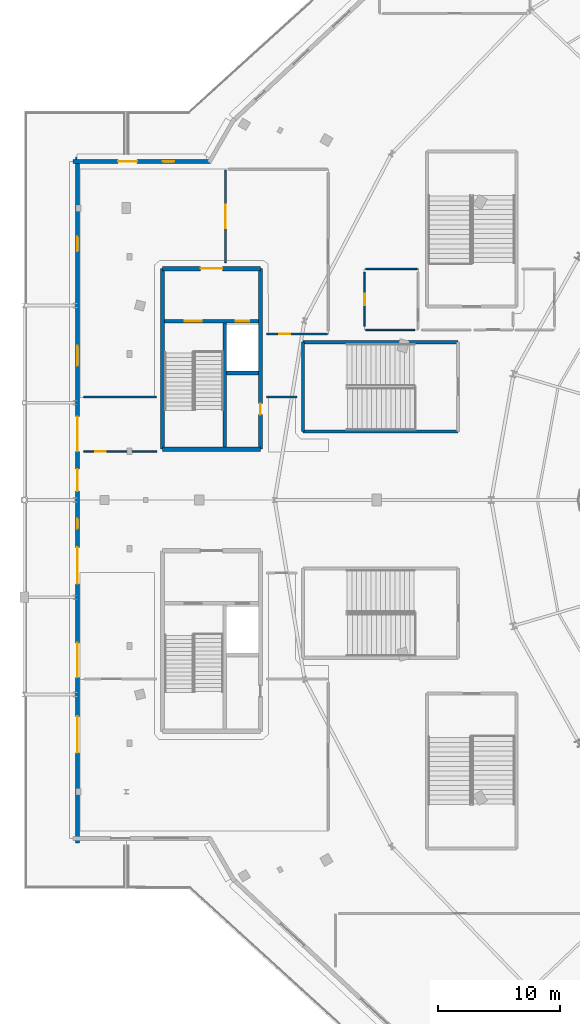
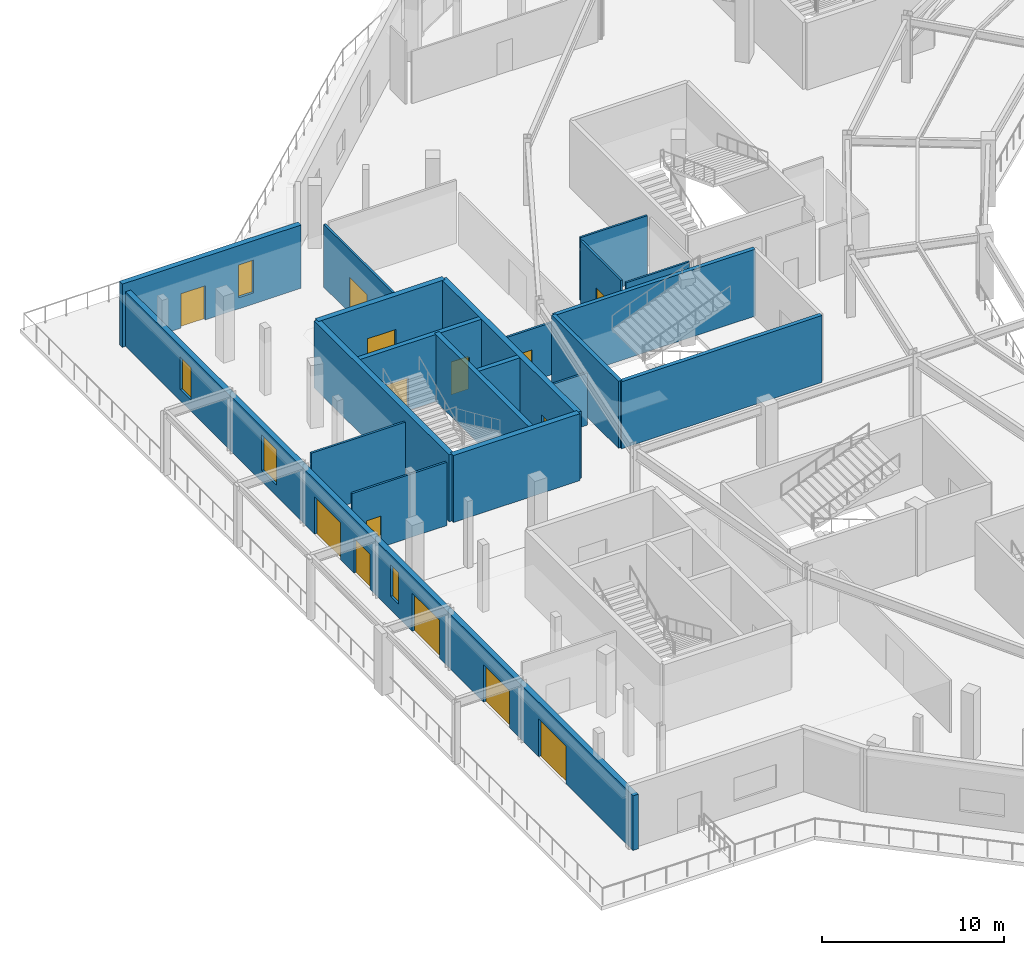
# One storey, part 77 of 107: 20 walls, 14 doors, 4 windows, 18 openings.
"""IFC4 building model written with IfcOpenShell, lengths in metres."""

from ifc_helpers import new_model, si_unit, direction, frame, frame_2d, origin, place, context, subcontext, project, spatial, rectangle, extrude, material, layer, layer_set, type_object, element, fill, save


model = new_model("IFC4")

# Units and contexts
model_context = context("Model", 3, precision=1e-05, world=origin(), true_north=direction((0.0, 1.0)))
body_context = subcontext(model_context, "Body", "Model", "MODEL_VIEW")
ifc_project = project(units=[si_unit("LENGTHUNIT", "METRE"), si_unit("AREAUNIT", "SQUARE_METRE"), si_unit("VOLUMEUNIT", "CUBIC_METRE"), si_unit("PLANEANGLEUNIT", "RADIAN"), si_unit("MASSUNIT", "GRAM", prefix="KILO")], contexts=[model_context])

# Site, building, storey
site_placement = place(None, origin())
site = spatial("IfcSite", under=ifc_project, at=site_placement, CompositionType="ELEMENT")
building_placement = place(site_placement, origin())
building = spatial("IfcBuilding", under=site, at=building_placement, Name="Kalgoora Escarpment Arena", CompositionType="ELEMENT")
storey_placement = place(building_placement, frame((0.0, 0.0, 5.39990234375)))
storey = spatial("IfcBuildingStorey", under=building, at=storey_placement, Name="L01", CompositionType="ELEMENT", Elevation=5.39990234375)

# Wall
ifc_material_1 = material(Name="Concrete N50 (fc' 50 MPa)", Category="concrete")
ifc_layer_1 = layer(ifc_material_1, 0.35009765625)
ifc_layer_set_1 = layer_set([ifc_layer_1], Name="WAL-CORE-350")
wall_type_1 = type_object("IfcWallType", Name="WAL-CORE-350", PredefinedType="SHEAR", material=ifc_layer_set_1)
wall_1_placement = place(storey_placement, frame((11.375, 68.175048828125, 0.0), z_axis=(0.0, 0.0, 1.0), x_axis=(1.0, 0.0, 0.0)))
element("IfcWall", 1, at=wall_1_placement, inside=storey, type_object=wall_type_1, Name="Core C1 L01 south shear wall", PredefinedType="SHEAR", context=body_context, shape_type="SweptSolid", body=[
    extrude(rectangle(XDim=8.050048828125, YDim=0.35009765625, at=frame_2d((4.02490234375, 0.0))), origin(), (0.0, 0.0, 1.0), 4.5),
])

# Wall, opening, door
wall_2_placement = place(storey_placement, frame((11.375, 83.02490234375, 0.0), z_axis=(0.0, 0.0, 1.0), x_axis=(1.0, 0.0, 0.0)))
wall_2 = element("IfcWall", 2, at=wall_2_placement, inside=storey, type_object=wall_type_1, Name="Core C1 L01 north lobby wall", PredefinedType="SHEAR", context=body_context, shape_type="SweptSolid", body=[
    extrude(rectangle(XDim=8.050048828125, YDim=0.35009765625, at=frame_2d((4.02490234375, 0.0))), origin(), (0.0, 0.0, 1.0), 4.5),
])
opening_1_placement = place(wall_2_placement, frame((3.125, 0.0, 0.0)))
opening_1 = element("IfcOpeningElement", 3, at=opening_1_placement, cuts=wall_2, Name="Opening FD-C1L", PredefinedType="OPENING", context=body_context, shape_type="SweptSolid", body=[
    extrude(rectangle(XDim=1.800048828125, YDim=2.25, at=frame_2d((0.89990234375, 1.125))), frame((0.0, 0.18505859375, 0.0), z_axis=(0.0, -1.0, 0.0), x_axis=(1.0, 0.0, 0.0)), (0.0, 0.0, 1.0), 0.3701171875),
])
ifc_material_2 = material(Name="Double fire-rated smoke-seal lobby door")
door_type_1 = type_object("IfcDoorType", Name="DR-LOBBY-1800", OperationType="NOTDEFINED", PredefinedType="DOOR", material=ifc_material_2)
door_1_placement = place(opening_1_placement, origin())
door_1 = element("IfcDoor", 4, at=door_1_placement, inside=storey, type_object=door_type_1, Name="Core C1 L01 smoke-lobby fire door", OperationType="DOUBLE_DOOR_SINGLE_SWING", OverallHeight=2.25, OverallWidth=1.800048828125, PredefinedType="DOOR", context=body_context, shape_type="SweptSolid", body=[
    extrude(rectangle(XDim=1.800048828125, YDim=2.25, at=frame_2d((0.89990234375, 1.125))), frame((0.0, 0.02490234375, 0.0), z_axis=(0.0, -1.0, 0.0), x_axis=(1.0, 0.0, 0.0)), (0.0, 0.0, 1.0), 0.050048828125),
])
fill(opening_1, door_1)

# Wall
wall_3_placement = place(storey_placement, frame((11.375, 68.175048828125, 0.0), z_axis=(0.0, 0.0, 1.0), x_axis=(0.0, 1.0, 0.0)))
element("IfcWall", 5, at=wall_3_placement, inside=storey, type_object=wall_type_1, Name="Core C1 L01 west shear wall", PredefinedType="SHEAR", context=body_context, shape_type="SweptSolid", body=[
    extrude(rectangle(XDim=14.849853515625, YDim=0.35009765625, at=frame_2d((7.4248046875, 0.0))), origin(), (0.0, 0.0, 1.0), 4.5),
])

# Wall, opening, door
wall_4_placement = place(storey_placement, frame((19.425048828125, 68.175048828125, 0.0), z_axis=(0.0, 0.0, 1.0), x_axis=(0.0, 1.0, 0.0)))
wall_4 = element("IfcWall", 6, at=wall_4_placement, inside=storey, type_object=wall_type_1, Name="Core C1 L01 east shear wall", PredefinedType="SHEAR", context=body_context, shape_type="SweptSolid", body=[
    extrude(rectangle(XDim=14.849853515625, YDim=0.35009765625, at=frame_2d((7.4248046875, 0.0))), origin(), (0.0, 0.0, 1.0), 4.5),
])
opening_2_placement = place(wall_4_placement, frame((2.85498046875, 0.0, 0.0)))
opening_2 = element("IfcOpeningElement", 7, at=opening_2_placement, cuts=wall_4, Name="Opening FD-C1R", PredefinedType="OPENING", context=body_context, shape_type="SweptSolid", body=[
    extrude(rectangle(XDim=0.89990234375, YDim=2.10009765625, at=frame_2d((0.449951171875, 1.050048828125))), frame((0.0, 0.18505859375, 0.0), z_axis=(0.0, -1.0, 0.0), x_axis=(1.0, 0.0, 0.0)), (0.0, 0.0, 1.0), 0.3701171875),
])
ifc_material_3 = material(Name="Fire-rated steel riser access door", Category="steel")
door_type_2 = type_object("IfcDoorType", Name="DR-RISER-0900", OperationType="NOTDEFINED", PredefinedType="DOOR", material=ifc_material_3)
door_2_placement = place(opening_2_placement, origin())
door_2 = element("IfcDoor", 8, at=door_2_placement, inside=storey, type_object=door_type_2, Name="Core C1 L01 riser cupboard access door", OperationType="SINGLE_SWING_RIGHT", OverallHeight=2.10009765625, OverallWidth=0.89990234375, PredefinedType="DOOR", context=body_context, shape_type="SweptSolid", body=[
    extrude(rectangle(XDim=0.89990234375, YDim=2.10009765625, at=frame_2d((0.449951171875, 1.050048828125))), frame((0.0, 0.02490234375, 0.0), z_axis=(0.0, -1.0, 0.0), x_axis=(1.0, 0.0, 0.0)), (0.0, 0.0, 1.0), 0.050048828125),
])
fill(opening_2, door_2)

ifc_material_4 = material(Name="Hospitality acoustic drywall partition", Category="gypsum")
ifc_layer_2 = layer(ifc_material_4, 0.135009765625)
ifc_layer_set_2 = layer_set([ifc_layer_2], Name="WAL-DIN-135")
wall_type_2 = type_object("IfcWallType", Name="WAL-DIN-135", PredefinedType="PARTITIONING", material=ifc_layer_set_2)
wall_5_placement = place(storey_placement, frame((10.913818359375, 68.0, 0.0), z_axis=(0.0, 0.0, 1.0), x_axis=(-1.0, 0.0, 0.0)))
wall_5 = element("IfcWall", 9, at=wall_5_placement, inside=storey, type_object=wall_type_2, Name="L01 Arena Shop partition wall", PredefinedType="PARTITIONING", context=body_context, shape_type="SweptSolid", body=[
    extrude(rectangle(XDim=6.013916015625, YDim=0.135009765625, at=frame_2d((3.0068359375, 0.0))), origin(), (0.0, 0.0, 1.0), 4.25),
])
opening_3_placement = place(wall_5_placement, frame((4.193115234375, 0.0, 0.0)))
opening_3 = element("IfcOpeningElement", 10, at=opening_3_placement, cuts=wall_5, Name="Opening FD-I051", PredefinedType="OPENING", context=body_context, shape_type="SweptSolid", body=[
    extrude(rectangle(XDim=0.89990234375, YDim=2.10009765625, at=frame_2d((0.449951171875, 1.050048828125))), frame((0.0, 0.077392578125, 0.0), z_axis=(0.0, -1.0, 0.0), x_axis=(1.0, 0.0, 0.0)), (0.0, 0.0, 1.0), 0.155029296875),
])
door_3_placement = place(opening_3_placement, origin())
door_3 = element("IfcDoor", 11, at=door_3_placement, inside=storey, type_object=door_type_2, Name="Arena Shop entrance door", OperationType="SINGLE_SWING_RIGHT", OverallHeight=2.10009765625, OverallWidth=0.89990234375, PredefinedType="DOOR", context=body_context, shape_type="SweptSolid", body=[
    extrude(rectangle(XDim=0.89990234375, YDim=2.10009765625, at=frame_2d((0.449951171875, 1.050048828125))), frame((0.0, 0.02490234375, 0.0), z_axis=(0.0, -1.0, 0.0), x_axis=(1.0, 0.0, 0.0)), (0.0, 0.0, 1.0), 0.050048828125),
])
fill(opening_3, door_3)

# Walls
wall_6_placement = place(storey_placement, frame((4.89990234375, 72.47509765625, 0.0), z_axis=(0.0, 0.0, 1.0), x_axis=(1.0, 0.0, 0.0)))
element("IfcWall", 12, at=wall_6_placement, inside=storey, type_object=wall_type_2, Name="L01 Arena Shop partition wall", PredefinedType="PARTITIONING", context=body_context, shape_type="SweptSolid", body=[
    extrude(rectangle(XDim=5.97509765625, YDim=0.135009765625, at=frame_2d((2.987548828125, 0.0))), origin(), (0.0, 0.0, 1.0), 4.25),
])
wall_7_placement = place(storey_placement, frame((19.925048828125, 72.47509765625, 0.0), z_axis=(0.0, 0.0, 1.0), x_axis=(1.0, 0.0, 0.0)))
element("IfcWall", 13, at=wall_7_placement, inside=storey, type_object=wall_type_2, Name="L01 Arena Shop partition wall", PredefinedType="PARTITIONING", context=body_context, shape_type="SweptSolid", body=[
    extrude(rectangle(XDim=2.5, YDim=0.135009765625, at=frame_2d((1.25, 0.0))), origin(), (0.0, 0.0, 1.0), 3.505126953125),
])

# Wall, opening, door
wall_8_placement = place(storey_placement, frame((16.550048828125, 91.1201171875, 0.0), z_axis=(0.0, 0.0, 1.0), x_axis=(0.0, -1.0, 0.0)))
wall_8 = element("IfcWall", 14, at=wall_8_placement, inside=storey, type_object=wall_type_2, Name="L01 Arena Shop 2 partition wall", PredefinedType="PARTITIONING", context=body_context, shape_type="SweptSolid", body=[
    extrude(rectangle(XDim=7.59521484375, YDim=0.135009765625, at=frame_2d((3.797607421875, 0.0))), origin(), (0.0, 0.0, 1.0), 4.22998046875),
])
opening_4_placement = place(wall_8_placement, frame((2.822509765625, 0.0, 0.0)))
opening_4 = element("IfcOpeningElement", 15, at=opening_4_placement, cuts=wall_8, Name="Opening FD-I052", PredefinedType="OPENING", context=body_context, shape_type="SweptSolid", body=[
    extrude(rectangle(XDim=1.949951171875, YDim=2.39990234375, at=frame_2d((0.97509765625, 1.199951171875))), frame((0.0, 0.077392578125, 0.0), z_axis=(0.0, -1.0, 0.0), x_axis=(1.0, 0.0, 0.0)), (0.0, 0.0, 1.0), 0.155029296875),
])
ifc_material_5 = material(Name="Glazed champagne-framed hospitality double door")
door_type_3 = type_object("IfcDoorType", Name="DR-CLUB-1950", OperationType="NOTDEFINED", PredefinedType="DOOR", material=ifc_material_5)
door_4_placement = place(opening_4_placement, origin())
door_4 = element("IfcDoor", 16, at=door_4_placement, inside=storey, type_object=door_type_3, Name="Arena Shop 2 entrance door", OperationType="DOUBLE_DOOR_SINGLE_SWING", OverallHeight=2.39990234375, OverallWidth=1.949951171875, PredefinedType="DOOR", context=body_context, shape_type="SweptSolid", body=[
    extrude(rectangle(XDim=1.949951171875, YDim=2.39990234375, at=frame_2d((0.97509765625, 1.199951171875))), frame((0.0, 0.02490234375, 0.0), z_axis=(0.0, -1.0, 0.0), x_axis=(1.0, 0.0, 0.0)), (0.0, 0.0, 1.0), 0.050048828125),
])
fill(opening_4, door_4)

wall_9_placement = place(storey_placement, frame((19.925048828125, 77.64990234375, 0.0), z_axis=(0.0, 0.0, 1.0), x_axis=(1.0, 0.0, 0.0)))
wall_9 = element("IfcWall", 17, at=wall_9_placement, inside=storey, type_object=wall_type_2, Name="L01 Arena Shop 3 partition wall", PredefinedType="PARTITIONING", context=body_context, shape_type="SweptSolid", body=[
    extrude(rectangle(XDim=4.994873046875, YDim=0.135009765625, at=frame_2d((2.49755859375, 0.0))), origin(), (0.0, 0.0, 1.0), 3.505126953125),
])
opening_5_placement = place(wall_9_placement, frame((1.064697265625, 0.0, 0.0)))
opening_5 = element("IfcOpeningElement", 18, at=opening_5_placement, cuts=wall_9, Name="Opening FD-I053", PredefinedType="OPENING", context=body_context, shape_type="SweptSolid", body=[
    extrude(rectangle(XDim=0.89990234375, YDim=2.10009765625, at=frame_2d((0.449951171875, 1.050048828125))), frame((0.0, 0.077392578125, 0.0), z_axis=(0.0, -1.0, 0.0), x_axis=(1.0, 0.0, 0.0)), (0.0, 0.0, 1.0), 0.155029296875),
])
door_5_placement = place(opening_5_placement, origin())
door_5 = element("IfcDoor", 19, at=door_5_placement, inside=storey, type_object=door_type_2, Name="Arena Shop 3 entrance door", OperationType="SINGLE_SWING_LEFT", OverallHeight=2.10009765625, OverallWidth=0.89990234375, PredefinedType="DOOR", context=body_context, shape_type="SweptSolid", body=[
    extrude(rectangle(XDim=0.89990234375, YDim=2.10009765625, at=frame_2d((0.449951171875, 1.050048828125))), frame((0.0, 0.02490234375, 0.0), z_axis=(0.0, -1.0, 0.0), x_axis=(1.0, 0.0, 0.0)), (0.0, 0.0, 1.0), 0.050048828125),
])
fill(opening_5, door_5)

# Wall, openings, doors, windows
ifc_material_6 = material(Name="Fluted Art Deco precast concrete 40 MPa", Category="concrete")
ifc_layer_3 = layer(ifc_material_6, 0.340087890625)
ifc_layer_set_3 = layer_set([ifc_layer_3], Name="WAL-EXT-340")
wall_type_3 = type_object("IfcWallType", Name="WAL-EXT-340", PredefinedType="SOLIDWALL", material=ifc_layer_set_3)
wall_10_placement = place(storey_placement, frame((4.3701171875, 35.802734375, 0.0), z_axis=(0.0, 0.0, 1.0), x_axis=(0.0, 1.0, 0.0)))
wall_10 = element("IfcWall", 20, at=wall_10_placement, inside=storey, type_object=wall_type_3, Name="L01 limestone-faced external wall 031", PredefinedType="SOLIDWALL", context=body_context, shape_type="SweptSolid", body=[
    extrude(rectangle(XDim=56.39453125, YDim=0.340087890625, at=frame_2d((28.197265625, 0.0))), origin(), (0.0, 0.0, 1.0), 3.673095703125),
])
opening_6_placement = place(wall_10_placement, frame((7.39990234375, 0.0, 0.0)))
opening_6 = element("IfcOpeningElement", 21, at=opening_6_placement, cuts=wall_10, Name="Opening E09", PredefinedType="OPENING", context=body_context, shape_type="SweptSolid", body=[
    extrude(rectangle(XDim=3.0, YDim=2.550048828125, at=frame_2d((1.5, 1.27490234375))), frame((0.0, 0.179931640625, 0.0), z_axis=(0.0, -1.0, 0.0), x_axis=(1.0, 0.0, 0.0)), (0.0, 0.0, 1.0), 0.360107421875),
])
opening_7_placement = place(wall_10_placement, frame((13.60009765625, 0.0, 0.0)))
opening_7 = element("IfcOpeningElement", 22, at=opening_7_placement, cuts=wall_10, Name="Opening E10", PredefinedType="OPENING", context=body_context, shape_type="SweptSolid", body=[
    extrude(rectangle(XDim=2.85009765625, YDim=2.5, at=frame_2d((1.425048828125, 1.25))), frame((0.0, 0.179931640625, 0.0), z_axis=(0.0, -1.0, 0.0), x_axis=(1.0, 0.0, 0.0)), (0.0, 0.0, 1.0), 0.360107421875),
])
opening_8_placement = place(wall_10_placement, frame((21.300048828125, 0.0, 0.0)))
opening_8 = element("IfcOpeningElement", 23, at=opening_8_placement, cuts=wall_10, Name="Opening E11", PredefinedType="OPENING", context=body_context, shape_type="SweptSolid", body=[
    extrude(rectangle(XDim=3.0, YDim=2.550048828125, at=frame_2d((1.5, 1.27490234375))), frame((0.0, 0.179931640625, 0.0), z_axis=(0.0, -1.0, 0.0), x_axis=(1.0, 0.0, 0.0)), (0.0, 0.0, 1.0), 0.360107421875),
])
opening_9_placement = place(wall_10_placement, frame((32.199951171875, 0.0, 0.0)))
opening_9 = element("IfcOpeningElement", 24, at=opening_9_placement, cuts=wall_10, Name="Opening E12", PredefinedType="OPENING", context=body_context, shape_type="SweptSolid", body=[
    extrude(rectangle(XDim=2.85009765625, YDim=2.5, at=frame_2d((1.425048828125, 1.25))), frame((0.0, 0.179931640625, 0.0), z_axis=(0.0, -1.0, 0.0), x_axis=(1.0, 0.0, 0.0)), (0.0, 0.0, 1.0), 0.360107421875),
])
opening_10_placement = place(wall_10_placement, frame((28.93505859375, 0.0, 0.0)))
opening_10 = element("IfcOpeningElement", 25, at=opening_10_placement, cuts=wall_10, Name="Opening TD11", PredefinedType="OPENING", context=body_context, shape_type="SweptSolid", body=[
    extrude(rectangle(XDim=1.800048828125, YDim=2.35009765625, at=frame_2d((0.89990234375, 1.175048828125))), frame((0.0, 0.179931640625, 0.0), z_axis=(0.0, -1.0, 0.0), x_axis=(1.0, 0.0, 0.0)), (0.0, 0.0, 1.0), 0.360107421875),
])
opening_11_placement = place(wall_10_placement, frame((25.824951171875, 0.0, 0.89990234375)))
opening_11 = element("IfcOpeningElement", 26, at=opening_11_placement, cuts=wall_10, Name="Opening W-18", PredefinedType="OPENING", context=body_context, shape_type="SweptSolid", body=[
    extrude(rectangle(XDim=0.85009765625, YDim=2.10009765625, at=frame_2d((0.425048828125, 1.050048828125))), frame((0.0, 0.179931640625, 0.0), z_axis=(0.0, -1.0, 0.0), x_axis=(1.0, 0.0, 0.0)), (0.0, 0.0, 1.0), 0.360107421875),
])
opening_12_placement = place(wall_10_placement, frame((39.22509765625, 0.0, 0.75)))
opening_12 = element("IfcOpeningElement", 27, at=opening_12_placement, cuts=wall_10, Name="Opening W-02", PredefinedType="OPENING", context=body_context, shape_type="SweptSolid", body=[
    extrude(rectangle(XDim=1.64990234375, YDim=2.39990234375, at=frame_2d((0.824951171875, 1.199951171875))), frame((0.0, 0.179931640625, 0.0), z_axis=(0.0, -1.0, 0.0), x_axis=(1.0, 0.0, 0.0)), (0.0, 0.0, 1.0), 0.360107421875),
])
opening_13_placement = place(wall_10_placement, frame((48.64990234375, 0.0, 0.75)))
opening_13 = element("IfcOpeningElement", 28, at=opening_13_placement, cuts=wall_10, Name="Opening W-05", PredefinedType="OPENING", context=body_context, shape_type="SweptSolid", body=[
    extrude(rectangle(XDim=1.199951171875, YDim=2.199951171875, at=frame_2d((0.60009765625, 1.10009765625))), frame((0.0, 0.179931640625, 0.0), z_axis=(0.0, -1.0, 0.0), x_axis=(1.0, 0.0, 0.0)), (0.0, 0.0, 1.0), 0.360107421875),
])
ifc_material_7 = material(Name="Champagne anodised aluminium & glass foyer leaf", Category="aluminium")
door_type_4 = type_object("IfcDoorType", Name="DR-FOYER-2850", OperationType="NOTDEFINED", PredefinedType="DOOR", material=ifc_material_7)
door_6_placement = place(opening_7_placement, origin())
door_6 = element("IfcDoor", 29, at=door_6_placement, inside=storey, type_object=door_type_4, Name="Upper Foyer Entrance E10", OperationType="DOUBLE_DOOR_SINGLE_SWING", OverallHeight=2.5, OverallWidth=2.85009765625, PredefinedType="DOOR", context=body_context, shape_type="SweptSolid", body=[
    extrude(rectangle(XDim=2.85009765625, YDim=2.5, at=frame_2d((1.425048828125, 1.25))), frame((0.0, 0.02490234375, 0.0), z_axis=(0.0, -1.0, 0.0), x_axis=(1.0, 0.0, 0.0)), (0.0, 0.0, 1.0), 0.050048828125),
])
fill(opening_7, door_6)
door_7_placement = place(opening_9_placement, origin())
door_7 = element("IfcDoor", 30, at=door_7_placement, inside=storey, type_object=door_type_4, Name="Upper Foyer Entrance E12", OperationType="DOUBLE_DOOR_SINGLE_SWING", OverallHeight=2.5, OverallWidth=2.85009765625, PredefinedType="DOOR", context=body_context, shape_type="SweptSolid", body=[
    extrude(rectangle(XDim=2.85009765625, YDim=2.5, at=frame_2d((1.425048828125, 1.25))), frame((0.0, 0.02490234375, 0.0), z_axis=(0.0, -1.0, 0.0), x_axis=(1.0, 0.0, 0.0)), (0.0, 0.0, 1.0), 0.050048828125),
])
fill(opening_9, door_7)
ifc_material_8 = material(Name="Champagne anodised aluminium & glass foyer leaf", Category="aluminium")
door_type_5 = type_object("IfcDoorType", Name="DR-FOYER-3000", OperationType="NOTDEFINED", PredefinedType="DOOR", material=ifc_material_8)
door_8_placement = place(opening_6_placement, origin())
door_8 = element("IfcDoor", 31, at=door_8_placement, inside=storey, type_object=door_type_5, Name="Upper Foyer Entrance E09", OperationType="DOUBLE_DOOR_SINGLE_SWING", OverallHeight=2.550048828125, OverallWidth=3.0, PredefinedType="DOOR", context=body_context, shape_type="SweptSolid", body=[
    extrude(rectangle(XDim=3.0, YDim=2.550048828125, at=frame_2d((1.5, 1.27490234375))), frame((0.0, 0.02490234375, 0.0), z_axis=(0.0, -1.0, 0.0), x_axis=(1.0, 0.0, 0.0)), (0.0, 0.0, 1.0), 0.050048828125),
])
fill(opening_6, door_8)
door_9_placement = place(opening_8_placement, origin())
door_9 = element("IfcDoor", 32, at=door_9_placement, inside=storey, type_object=door_type_5, Name="Upper Foyer Entrance E11", OperationType="DOUBLE_DOOR_SINGLE_SWING", OverallHeight=2.550048828125, OverallWidth=3.0, PredefinedType="DOOR", context=body_context, shape_type="SweptSolid", body=[
    extrude(rectangle(XDim=3.0, YDim=2.550048828125, at=frame_2d((1.5, 1.27490234375))), frame((0.0, 0.02490234375, 0.0), z_axis=(0.0, -1.0, 0.0), x_axis=(1.0, 0.0, 0.0)), (0.0, 0.0, 1.0), 0.050048828125),
])
fill(opening_8, door_9)
ifc_material_9 = material(Name="Thermally broken aluminium glazed terrace double door", Category="aluminium")
door_type_6 = type_object("IfcDoorType", Name="DR-TERR-1800", OperationType="NOTDEFINED", PredefinedType="DOOR", material=ifc_material_9)
door_10_placement = place(opening_10_placement, origin())
door_10 = element("IfcDoor", 33, at=door_10_placement, inside=storey, type_object=door_type_6, Name="Upper Foyer Escarpment Plaza access door TD11", OperationType="DOUBLE_DOOR_SINGLE_SWING", OverallHeight=2.35009765625, OverallWidth=1.800048828125, PredefinedType="DOOR", context=body_context, shape_type="SweptSolid", body=[
    extrude(rectangle(XDim=1.800048828125, YDim=2.35009765625, at=frame_2d((0.89990234375, 1.175048828125))), frame((0.0, 0.02490234375, 0.0), z_axis=(0.0, -1.0, 0.0), x_axis=(1.0, 0.0, 0.0)), (0.0, 0.0, 1.0), 0.050048828125),
])
fill(opening_10, door_10)
ifc_material_10 = material(Name="Low-E solar-control double glazing in champagne frame", Category="glass")
window_type_1 = type_object("IfcWindowType", Name="WIN-DECO-1200x2200", PartitioningType="SINGLE_PANEL", PredefinedType="WINDOW", material=ifc_material_10)
window_1_placement = place(opening_13_placement, origin())
window_1 = element("IfcWindow", 34, at=window_1_placement, inside=storey, type_object=window_type_1, Name="L01 scheduled facade window 015", OverallHeight=2.199951171875, OverallWidth=1.199951171875, PartitioningType="SINGLE_PANEL", PredefinedType="WINDOW", context=body_context, shape_type="SweptSolid", body=[
    extrude(rectangle(XDim=1.199951171875, YDim=2.199951171875, at=frame_2d((0.60009765625, 1.10009765625))), frame((0.0, 0.030029296875, 0.0), z_axis=(0.0, -1.0, 0.0), x_axis=(1.0, 0.0, 0.0)), (0.0, 0.0, 1.0), 0.06005859375),
])
fill(opening_13, window_1)
ifc_material_11 = material(Name="Low-E solar-control double glazing in champagne frame", Category="glass")
window_type_2 = type_object("IfcWindowType", Name="WIN-DECO-1650x2400", PartitioningType="SINGLE_PANEL", PredefinedType="WINDOW", material=ifc_material_11)
window_2_placement = place(opening_12_placement, origin())
window_2 = element("IfcWindow", 35, at=window_2_placement, inside=storey, type_object=window_type_2, Name="L01 scheduled facade window 014", OverallHeight=2.39990234375, OverallWidth=1.64990234375, PartitioningType="SINGLE_PANEL", PredefinedType="WINDOW", context=body_context, shape_type="SweptSolid", body=[
    extrude(rectangle(XDim=1.64990234375, YDim=2.39990234375, at=frame_2d((0.824951171875, 1.199951171875))), frame((0.0, 0.030029296875, 0.0), z_axis=(0.0, -1.0, 0.0), x_axis=(1.0, 0.0, 0.0)), (0.0, 0.0, 1.0), 0.06005859375),
])
fill(opening_12, window_2)
ifc_material_12 = material(Name="Low-E solar-control double glazing in champagne frame", Category="glass")
window_type_3 = type_object("IfcWindowType", Name="WIN-SLOT-0850x2100", PartitioningType="SINGLE_PANEL", PredefinedType="WINDOW", material=ifc_material_12)
window_3_placement = place(opening_11_placement, origin())
window_3 = element("IfcWindow", 36, at=window_3_placement, inside=storey, type_object=window_type_3, Name="L01 scheduled facade window 013", OverallHeight=2.10009765625, OverallWidth=0.85009765625, PartitioningType="SINGLE_PANEL", PredefinedType="WINDOW", context=body_context, shape_type="SweptSolid", body=[
    extrude(rectangle(XDim=0.85009765625, YDim=2.10009765625, at=frame_2d((0.425048828125, 1.050048828125))), frame((0.0, 0.030029296875, 0.0), z_axis=(0.0, -1.0, 0.0), x_axis=(1.0, 0.0, 0.0)), (0.0, 0.0, 1.0), 0.06005859375),
])
fill(opening_11, window_3)

# Wall, openings, door, window
wall_11_placement = place(storey_placement, frame((4.002685546875, 91.830078125, 0.0), z_axis=(0.0, 0.0, 1.0), x_axis=(1.0, 0.0, 0.0)))
wall_11 = element("IfcWall", 37, at=wall_11_placement, inside=storey, type_object=wall_type_3, Name="L01 limestone-faced external wall 032", PredefinedType="SOLIDWALL", context=body_context, shape_type="SweptSolid", body=[
    extrude(rectangle(XDim=11.3505859375, YDim=0.340087890625, at=frame_2d((5.67529296875, 0.0))), origin(), (0.0, 0.0, 1.0), 4.25),
])
opening_14_placement = place(wall_11_placement, frame((3.72412109375, 0.0, 0.0)))
opening_14 = element("IfcOpeningElement", 38, at=opening_14_placement, cuts=wall_11, Name="Opening TD19", PredefinedType="OPENING", context=body_context, shape_type="SweptSolid", body=[
    extrude(rectangle(XDim=1.550048828125, YDim=2.300048828125, at=frame_2d((0.77490234375, 1.14990234375))), frame((0.0, 0.179931640625, 0.0), z_axis=(0.0, -1.0, 0.0), x_axis=(1.0, 0.0, 0.0)), (0.0, 0.0, 1.0), 0.360107421875),
])
opening_15_placement = place(wall_11_placement, frame((7.375, 0.0, 0.75)))
opening_15 = element("IfcOpeningElement", 39, at=opening_15_placement, cuts=wall_11, Name="Opening W-17", PredefinedType="OPENING", context=body_context, shape_type="SweptSolid", body=[
    extrude(rectangle(XDim=0.949951171875, YDim=2.199951171875, at=frame_2d((0.47509765625, 1.10009765625))), frame((0.0, 0.179931640625, 0.0), z_axis=(0.0, -1.0, 0.0), x_axis=(1.0, 0.0, 0.0)), (0.0, 0.0, 1.0), 0.360107421875),
])
ifc_material_13 = material(Name="Thermally broken aluminium glazed terrace double door", Category="aluminium")
door_type_7 = type_object("IfcDoorType", Name="DR-TERR-1550", OperationType="NOTDEFINED", PredefinedType="DOOR", material=ifc_material_13)
door_11_placement = place(opening_14_placement, origin())
door_11 = element("IfcDoor", 40, at=door_11_placement, inside=storey, type_object=door_type_7, Name="Lower Planted Elliptical Garden Promenade access door TD19", OperationType="DOUBLE_DOOR_SINGLE_SWING", OverallHeight=2.300048828125, OverallWidth=1.550048828125, PredefinedType="DOOR", context=body_context, shape_type="SweptSolid", body=[
    extrude(rectangle(XDim=1.550048828125, YDim=2.300048828125, at=frame_2d((0.77490234375, 1.14990234375))), frame((0.0, 0.02490234375, 0.0), z_axis=(0.0, -1.0, 0.0), x_axis=(1.0, 0.0, 0.0)), (0.0, 0.0, 1.0), 0.050048828125),
])
fill(opening_14, door_11)
ifc_material_14 = material(Name="Low-E solar-control double glazing in champagne frame", Category="glass")
window_type_4 = type_object("IfcWindowType", Name="WIN-SLOT-0950x2200", PartitioningType="SINGLE_PANEL", PredefinedType="WINDOW", material=ifc_material_14)
window_4_placement = place(opening_15_placement, origin())
window_4 = element("IfcWindow", 41, at=window_4_placement, inside=storey, type_object=window_type_4, Name="L01 scheduled facade window 016", OverallHeight=2.199951171875, OverallWidth=0.949951171875, PartitioningType="SINGLE_PANEL", PredefinedType="WINDOW", context=body_context, shape_type="SweptSolid", body=[
    extrude(rectangle(XDim=0.949951171875, YDim=2.199951171875, at=frame_2d((0.47509765625, 1.10009765625))), frame((0.0, 0.030029296875, 0.0), z_axis=(0.0, -1.0, 0.0), x_axis=(1.0, 0.0, 0.0)), (0.0, 0.0, 1.0), 0.06005859375),
])
fill(opening_15, window_4)

# Wall, openings, doors
ifc_material_15 = material(Name="Concrete N50 (fc' 50 MPa)", Category="concrete")
ifc_layer_4 = layer(ifc_material_15, 0.300048828125)
ifc_layer_set_4 = layer_set([ifc_layer_4], Name="WAL-SHAFT-300")
wall_type_4 = type_object("IfcWallType", Name="WAL-SHAFT-300", PredefinedType="SHEAR", material=ifc_layer_set_4)
wall_12_placement = place(storey_placement, frame((11.550048828125, 78.699951171875, 0.0), z_axis=(0.0, 0.0, 1.0), x_axis=(1.0, 0.0, 0.0)))
wall_12 = element("IfcWall", 42, at=wall_12_placement, inside=storey, type_object=wall_type_4, Name="Core C1 L01 lobby shaft wall", PredefinedType="SHEAR", context=body_context, shape_type="SweptSolid", body=[
    extrude(rectangle(XDim=7.699951171875, YDim=0.300048828125, at=frame_2d((3.85009765625, 0.0))), origin(), (0.0, 0.0, 1.0), 4.5),
])
opening_16_placement = place(wall_12_placement, frame((1.64990234375, 0.0, 0.0)))
opening_16 = element("IfcOpeningElement", 43, at=opening_16_placement, cuts=wall_12, Name="Opening FD-ST01", PredefinedType="OPENING", context=body_context, shape_type="SweptSolid", body=[
    extrude(rectangle(XDim=1.39990234375, YDim=2.199951171875, at=frame_2d((0.699951171875, 1.10009765625))), frame((0.0, 0.159912109375, 0.0), z_axis=(0.0, -1.0, 0.0), x_axis=(1.0, 0.0, 0.0)), (0.0, 0.0, 1.0), 0.320068359375),
])
opening_17_placement = place(wall_12_placement, frame((5.85009765625, 0.0, 0.0)))
opening_17 = element("IfcOpeningElement", 44, at=opening_17_placement, cuts=wall_12, Name="Opening LD-EL1", PredefinedType="OPENING", context=body_context, shape_type="SweptSolid", body=[
    extrude(rectangle(XDim=1.10009765625, YDim=2.199951171875, at=frame_2d((0.550048828125, 1.10009765625))), frame((0.0, 0.159912109375, 0.0), z_axis=(0.0, -1.0, 0.0), x_axis=(1.0, 0.0, 0.0)), (0.0, 0.0, 1.0), 0.320068359375),
])
ifc_material_16 = material(Name="Brushed stainless steel sliding lift landing door", Category="steel")
door_type_8 = type_object("IfcDoorType", Name="DR-LD-EL1", OperationType="SLIDING_TO_LEFT", PredefinedType="DOOR", material=ifc_material_16)
door_12_placement = place(opening_17_placement, origin())
door_12 = element("IfcDoor", 45, at=door_12_placement, inside=storey, type_object=door_type_8, Name="Lift EL1 L01 sliding landing door", OperationType="SLIDING_TO_LEFT", OverallHeight=2.199951171875, OverallWidth=1.10009765625, PredefinedType="DOOR", context=body_context, shape_type="SweptSolid", body=[
    extrude(rectangle(XDim=1.10009765625, YDim=2.199951171875, at=frame_2d((0.550048828125, 1.10009765625))), frame((0.0, 0.02490234375, 0.0), z_axis=(0.0, -1.0, 0.0), x_axis=(1.0, 0.0, 0.0)), (0.0, 0.0, 1.0), 0.050048828125),
])
fill(opening_17, door_12)
ifc_material_17 = material(Name="Fire-rated steel stair leaf with vision panel", Category="steel")
door_type_9 = type_object("IfcDoorType", Name="DR-STAIR-1400", OperationType="NOTDEFINED", PredefinedType="DOOR", material=ifc_material_17)
door_13_placement = place(opening_16_placement, origin())
door_13 = element("IfcDoor", 46, at=door_13_placement, inside=storey, type_object=door_type_9, Name="Fire stair ST01 L01 fire door", OperationType="SINGLE_SWING_LEFT", OverallHeight=2.199951171875, OverallWidth=1.39990234375, PredefinedType="DOOR", context=body_context, shape_type="SweptSolid", body=[
    extrude(rectangle(XDim=1.39990234375, YDim=2.199951171875, at=frame_2d((0.699951171875, 1.10009765625))), frame((0.0, 0.02490234375, 0.0), z_axis=(0.0, -1.0, 0.0), x_axis=(1.0, 0.0, 0.0)), (0.0, 0.0, 1.0), 0.050048828125),
])
fill(opening_16, door_13)

# Walls
wall_13_placement = place(storey_placement, frame((16.5, 68.35009765625, 0.0), z_axis=(0.0, 0.0, 1.0), x_axis=(0.0, 1.0, 0.0)))
element("IfcWall", 47, at=wall_13_placement, inside=storey, type_object=wall_type_4, Name="Core C1 L01 stair-lift spine wall", PredefinedType="SHEAR", context=body_context, shape_type="SweptSolid", body=[
    extrude(rectangle(XDim=10.349853515625, YDim=0.300048828125, at=frame_2d((5.1748046875, 0.0))), origin(), (0.0, 0.0, 1.0), 4.5),
])
wall_14_placement = place(storey_placement, frame((16.64990234375, 74.449951171875, 0.0), z_axis=(0.0, 0.0, 1.0), x_axis=(1.0, 0.0, 0.0)))
element("IfcWall", 48, at=wall_14_placement, inside=storey, type_object=wall_type_4, Name="Core C1 L01 lift-riser divider wall", PredefinedType="SHEAR", context=body_context, shape_type="SweptSolid", body=[
    extrude(rectangle(XDim=2.60009765625, YDim=0.300048828125, at=frame_2d((1.300048828125, 0.0))), origin(), (0.0, 0.0, 1.0), 4.5),
])
ifc_material_18 = material(Name="Concrete N50 (fc' 50 MPa)", Category="concrete")
ifc_layer_5 = layer(ifc_material_18, 0.25)
ifc_layer_set_5 = layer_set([ifc_layer_5], Name="WAL-STAIR-250")
wall_type_5 = type_object("IfcWallType", Name="WAL-STAIR-250", PredefinedType="SHEAR", material=ifc_layer_set_5)
for number, where, z_axis, x_axis, name in (
    (49, (22.925048828125, 69.625, 0.0), (0.0, 0.0, 1.0), (1.0, 0.0, 0.0), "Exit stair ST17 L01 south wall"),
    (50, (22.925048828125, 76.97509765625, 0.0), (0.0, 0.0, 1.0), (1.0, 0.0, 0.0), "Exit stair ST17 L01 north wall"),
):
    element("IfcWall", number, at=place(storey_placement, frame(where, z_axis=z_axis, x_axis=x_axis)), inside=storey, type_object=wall_type_5, Name=name, PredefinedType="SHEAR", context=body_context, shape_type="SweptSolid", body=[
        extrude(rectangle(XDim=12.75, YDim=0.25, at=frame_2d((6.375, 0.0))), origin(), (0.0, 0.0, 1.0), 4.5),
    ])
wall_15_placement = place(storey_placement, frame((22.925048828125, 69.625, 0.0), z_axis=(0.0, 0.0, 1.0), x_axis=(0.0, 1.0, 0.0)))
element("IfcWall", 51, at=wall_15_placement, inside=storey, type_object=wall_type_5, Name="Exit stair ST17 L01 west wall", PredefinedType="SHEAR", context=body_context, shape_type="SweptSolid", body=[
    extrude(rectangle(XDim=7.35009765625, YDim=0.25, at=frame_2d((3.675048828125, 0.0))), origin(), (0.0, 0.0, 1.0), 4.5),
])
ifc_material_19 = material(Name="Moisture-resistant wet-area partition", Category="gypsum")
ifc_layer_6 = layer(ifc_material_19, 0.125)
ifc_layer_set_6 = layer_set([ifc_layer_6], Name="WAL-WC-125")
wall_type_6 = type_object("IfcWallType", Name="WAL-WC-125", PredefinedType="PARTITIONING", material=ifc_layer_set_6)
wall_16_placement = place(storey_placement, frame((28.080078125, 83.0, 0.0), z_axis=(0.0, 0.0, 1.0), x_axis=(1.0, 0.0, 0.0)))
element("IfcWall", 52, at=wall_16_placement, inside=storey, type_object=wall_type_6, Name="L01 Male WC 1 partition wall", PredefinedType="PARTITIONING", context=body_context, shape_type="SweptSolid", body=[
    extrude(rectangle(XDim=4.239990234375, YDim=0.125, at=frame_2d((2.1201171875, 0.0))), origin(), (0.0, 0.0, 1.0), 4.22998046875),
])
wall_17_placement = place(storey_placement, frame((32.115234375, 78.0, 0.0), z_axis=(0.0, 0.0, 1.0), x_axis=(-1.0, 0.0, 0.0)))
element("IfcWall", 53, at=wall_17_placement, inside=storey, type_object=wall_type_6, Name="L01 Male WC 1 partition wall", PredefinedType="PARTITIONING", context=body_context, shape_type="SweptSolid", body=[
    extrude(rectangle(XDim=4.03515625, YDim=0.125, at=frame_2d((2.017578125, 0.0))), origin(), (0.0, 0.0, 1.0), 4.22998046875),
])

# Wall, opening, door
wall_18_placement = place(storey_placement, frame((28.0, 78.284912109375, 0.0), z_axis=(0.0, 0.0, 1.0), x_axis=(0.0, 1.0, 0.0)))
wall_18 = element("IfcWall", 54, at=wall_18_placement, inside=storey, type_object=wall_type_6, Name="L01 Male WC 1 partition wall", PredefinedType="PARTITIONING", context=body_context, shape_type="SweptSolid", body=[
    extrude(rectangle(XDim=4.43017578125, YDim=0.125, at=frame_2d((2.215087890625, 0.0))), origin(), (0.0, 0.0, 1.0), 4.22998046875),
])
opening_18_placement = place(wall_18_placement, frame((1.740234375, 0.0, 0.0)))
opening_18 = element("IfcOpeningElement", 55, at=opening_18_placement, cuts=wall_18, Name="Opening D-I043", PredefinedType="OPENING", context=body_context, shape_type="SweptSolid", body=[
    extrude(rectangle(XDim=0.949951171875, YDim=2.10009765625, at=frame_2d((0.47509765625, 1.050048828125))), frame((0.0, 0.072509765625, 0.0), z_axis=(0.0, -1.0, 0.0), x_axis=(1.0, 0.0, 0.0)), (0.0, 0.0, 1.0), 0.14501953125),
])
ifc_material_20 = material(Name="Moisture-resistant laminate accessible WC door")
door_type_10 = type_object("IfcDoorType", Name="DR-WC-0950", OperationType="NOTDEFINED", PredefinedType="DOOR", material=ifc_material_20)
door_14_placement = place(opening_18_placement, origin())
door_14 = element("IfcDoor", 56, at=door_14_placement, inside=storey, type_object=door_type_10, Name="Male WC 1 entrance door", OperationType="SINGLE_SWING_RIGHT", OverallHeight=2.10009765625, OverallWidth=0.949951171875, PredefinedType="DOOR", context=body_context, shape_type="SweptSolid", body=[
    extrude(rectangle(XDim=0.949951171875, YDim=2.10009765625, at=frame_2d((0.47509765625, 1.050048828125))), frame((0.0, 0.02490234375, 0.0), z_axis=(0.0, -1.0, 0.0), x_axis=(1.0, 0.0, 0.0)), (0.0, 0.0, 1.0), 0.050048828125),
])
fill(opening_18, door_14)

save(model, "model.ifc")
